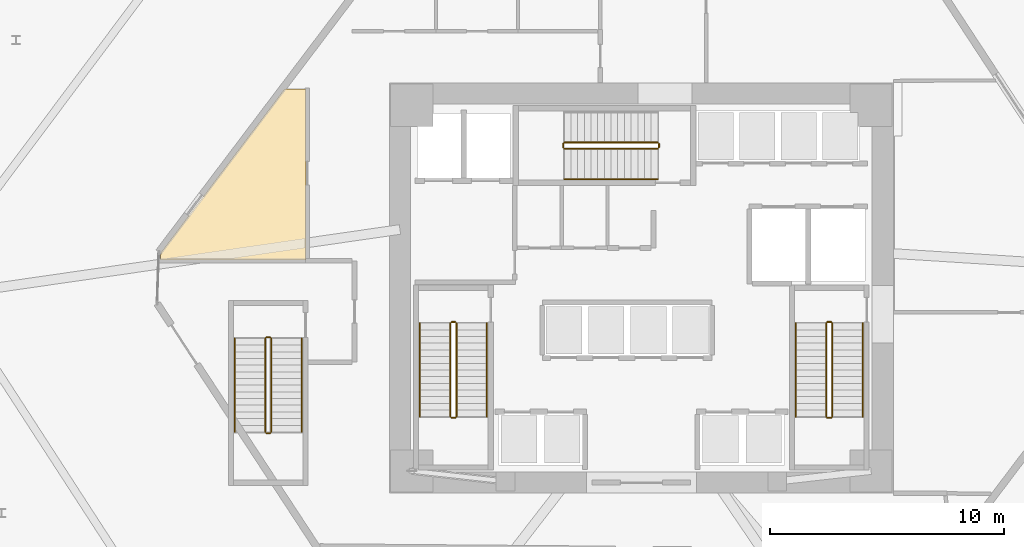
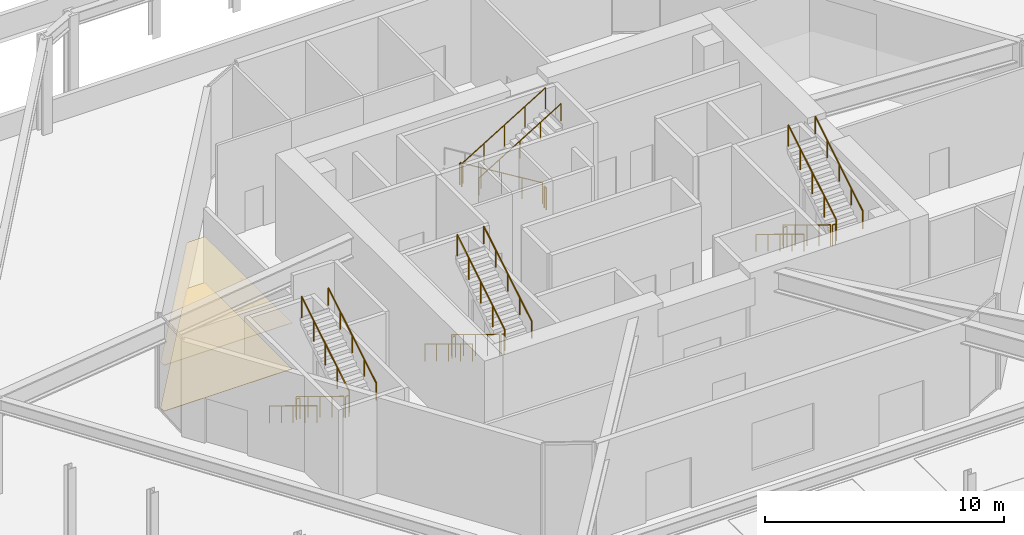
# One storey, part 16 of 18: 23 railings, 2 coverings.
"""IFC4 building model written with IfcOpenShell, lengths in metres."""

from ifc_helpers import new_model, si_unit, direction, frame, origin, origin_2d, place, context, subcontext, project, spatial, polyline, circle, outline, extrude, material, layer, layer_set, type_object, element, save


model = new_model("IFC4")

# Units and contexts
model_context = context("Model", 3, precision=1e-05, world=origin(), true_north=direction((0.0, 1.0)))
body_context = subcontext(model_context, "Body", "Model", "MODEL_VIEW")
ifc_project = project(units=[si_unit("LENGTHUNIT", "METRE"), si_unit("AREAUNIT", "SQUARE_METRE"), si_unit("VOLUMEUNIT", "CUBIC_METRE"), si_unit("PLANEANGLEUNIT", "RADIAN"), si_unit("MASSUNIT", "GRAM", prefix="KILO")], contexts=[model_context])

# Site, building, storey
site_placement = place(None, origin())
site = spatial("IfcSite", under=ifc_project, at=site_placement, CompositionType="ELEMENT")
building_placement = place(site_placement, origin())
building = spatial("IfcBuilding", under=site, at=building_placement, Name="Durnholm Broadcast Tower", CompositionType="ELEMENT")
storey_placement = place(building_placement, origin())
storey = spatial("IfcBuildingStorey", under=building, at=storey_placement, Name="L00", CompositionType="ELEMENT", Elevation=0.0)

# Coverings
ifc_material_1 = material(Name="Mineral Fiber Acoustic Ceiling Tile", Category="concrete")
ifc_layer_1 = layer(ifc_material_1, 0.02490234375)
ifc_layer_set_1 = layer_set([ifc_layer_1], Name="Mineral Fiber Acoustic Ceiling Tile")
covering_type_1 = type_object("IfcCoveringType", Name="COV-CEIL-AC", PredefinedType="CEILING", material=ifc_layer_set_1)
covering_1_placement = place(storey_placement, frame((0.0, 0.0, 2.35009765625)))
element("IfcCovering", 1, at=covering_1_placement, inside=storey, type_object=covering_type_1, Name="L00 Fire Command Center acoustic ceiling", PredefinedType="CEILING", context=body_context, shape_type="SweptSolid", body=[
    extrude(outline(polyline([(-14.304931640625, 1.205078125), (-14.304931640625, 8.4951171875), (-15.222900390625, 8.4951171875), (-20.504638671875, 1.508056640625), (-20.5146484375, 1.205078125), (-14.304931640625, 1.205078125)])), origin(), (0.0, 0.0, 1.0), 0.02490234375),
])
ifc_material_2 = material(Name="Engineered Oak Acoustic Broadcast Flooring", Category="wood")
ifc_layer_2 = layer(ifc_material_2, 0.02001953125)
ifc_layer_set_2 = layer_set([ifc_layer_2], Name="Engineered Oak Acoustic Broadcast Flooring")
covering_type_2 = type_object("IfcCoveringType", Name="COV-FLR-OAK", PredefinedType="FLOORING", material=ifc_layer_set_2)
covering_2_placement = place(storey_placement, origin())
element("IfcCovering", 2, at=covering_2_placement, inside=storey, type_object=covering_type_2, Name="L00 Fire Command Center acoustic oak flooring", PredefinedType="FLOORING", context=body_context, shape_type="SweptSolid", body=[
    extrude(outline(polyline([(-14.304931640625, 1.205078125), (-14.304931640625, 8.4951171875), (-15.222900390625, 8.4951171875), (-20.504638671875, 1.508056640625), (-20.5146484375, 1.205078125), (-14.304931640625, 1.205078125)])), origin(), (0.0, 0.0, 1.0), 0.02001953125),
])

# Railings
ifc_material_3 = material(Name="Painted Tubular Steel Stair Guardrail", Category="steel")
railing_type_1 = type_object("IfcRailingType", Name="RAIL-ST-GRD", PredefinedType="GUARDRAIL", material=ifc_material_3)
railing_1_placement = place(storey_placement, frame((-8.14990234375, -1.5, 0.17333984375)))
element("IfcRailing", 3, at=railing_1_placement, inside=storey, type_object=railing_type_1, Name="L00 ST-1 stair guard 1", PredefinedType="GUARDRAIL", context=body_context, shape_type="SweptSolid", body=[
    extrude(circle(Radius=0.02392578125, at=origin_2d()), frame((0.0, 0.0, 1.076171875), z_axis=(0.0, -0.854382233033, 0.519645071061), x_axis=(1.0, 0.0, 0.0)), (0.0, 0.0, 1.0), 4.669921875),
    extrude(circle(Radius=0.02099609375, at=origin_2d()), origin(), (0.0, 0.0, 1.0), 1.052001953125),
    extrude(circle(Radius=0.02099609375, at=origin_2d()), frame((0.0, -0.99755859375, 0.606689453125)), (0.0, 0.0, 1.0), 1.052001953125),
    extrude(circle(Radius=0.02099609375, at=origin_2d()), frame((0.0, -1.9951171875, 1.21337890625)), (0.0, 0.0, 1.0), 1.052001953125),
    extrude(circle(Radius=0.02099609375, at=origin_2d()), frame((0.0, -2.992431640625, 1.820068359375)), (0.0, 0.0, 1.0), 1.052001953125),
    extrude(circle(Radius=0.02099609375, at=origin_2d()), frame((0.0, -3.989990234375, 2.4267578125)), (0.0, 0.0, 1.0), 1.052001953125),
])
railing_2_placement = place(storey_placement, frame((-8.10009765625, -5.5400390625, 2.60009765625)))
element("IfcRailing", 4, at=railing_2_placement, inside=storey, type_object=railing_type_1, Name="L00 ST-1 stair guard 2", PredefinedType="GUARDRAIL", context=body_context, shape_type="SweptSolid", body=[
    extrude(circle(Radius=0.02392578125, at=origin_2d()), frame((0.0, 0.0, 1.076171875), z_axis=(1.0, 0.0, 0.0), x_axis=(0.0, 1.0, 0.0)), (0.0, 0.0, 1.0), 0.16015625),
    extrude(circle(Radius=0.02099609375, at=origin_2d()), origin(), (0.0, 0.0, 1.0), 1.052001953125),
    extrude(circle(Radius=0.02099609375, at=origin_2d()), frame((0.16015625, 0.0, 0.0)), (0.0, 0.0, 1.0), 1.052001953125),
])
railing_3_placement = place(storey_placement, frame((-7.889892578125, -5.489990234375, 2.7734375)))
element("IfcRailing", 5, at=railing_3_placement, inside=storey, type_object=railing_type_1, Name="L00 ST-1 stair guard 3", PredefinedType="GUARDRAIL", context=body_context, shape_type="SweptSolid", body=[
    extrude(circle(Radius=0.02392578125, at=origin_2d()), frame((0.0, 0.0, 1.076171875), z_axis=(0.0, 0.854405443041, 0.519606908058), x_axis=(-1.0, 0.0, 0.0)), (0.0, 0.0, 1.0), 4.669921875),
    extrude(circle(Radius=0.02099609375, at=origin_2d()), origin(), (0.0, 0.0, 1.0), 1.052001953125),
    extrude(circle(Radius=0.02099609375, at=origin_2d()), frame((0.0, 0.99755859375, 0.606689453125)), (0.0, 0.0, 1.0), 1.052001953125),
    extrude(circle(Radius=0.02099609375, at=origin_2d()), frame((0.0, 1.9951171875, 1.21337890625)), (0.0, 0.0, 1.0), 1.052001953125),
    extrude(circle(Radius=0.02099609375, at=origin_2d()), frame((0.0, 2.992431640625, 1.81982421875)), (0.0, 0.0, 1.0), 1.052001953125),
    extrude(circle(Radius=0.02099609375, at=origin_2d()), frame((0.0, 3.989990234375, 2.426513671875)), (0.0, 0.0, 1.0), 1.052001953125),
])
railing_4_placement = place(storey_placement, frame((-8.10009765625, -1.449951171875, 0.0)))
element("IfcRailing", 6, at=railing_4_placement, inside=storey, type_object=railing_type_1, Name="L00 ST-1 stair guard 4", PredefinedType="GUARDRAIL", context=body_context, shape_type="SweptSolid", body=[
    extrude(circle(Radius=0.02392578125, at=origin_2d()), frame((0.0, 0.0, 1.076171875), z_axis=(1.0, 0.0, 0.0), x_axis=(0.0, 1.0, 0.0)), (0.0, 0.0, 1.0), 0.16015625),
    extrude(circle(Radius=0.02099609375, at=origin_2d()), origin(), (0.0, 0.0, 1.0), 1.052001953125),
    extrude(circle(Radius=0.02099609375, at=origin_2d()), frame((0.16015625, 0.0, 0.0)), (0.0, 0.0, 1.0), 1.052001953125),
])
railing_5_placement = place(storey_placement, frame((7.889892578125, -1.5, 0.17333984375)))
element("IfcRailing", 7, at=railing_5_placement, inside=storey, type_object=railing_type_1, Name="L00 ST-2 stair guard 1", PredefinedType="GUARDRAIL", context=body_context, shape_type="SweptSolid", body=[
    extrude(circle(Radius=0.02392578125, at=origin_2d()), frame((0.0, 0.0, 1.076171875), z_axis=(0.0, -0.854382233033, 0.519645071061), x_axis=(1.0, 0.0, 0.0)), (0.0, 0.0, 1.0), 4.669921875),
    extrude(circle(Radius=0.02099609375, at=origin_2d()), origin(), (0.0, 0.0, 1.0), 1.052001953125),
    extrude(circle(Radius=0.02099609375, at=origin_2d()), frame((0.0, -0.99755859375, 0.606689453125)), (0.0, 0.0, 1.0), 1.052001953125),
    extrude(circle(Radius=0.02099609375, at=origin_2d()), frame((0.0, -1.9951171875, 1.21337890625)), (0.0, 0.0, 1.0), 1.052001953125),
    extrude(circle(Radius=0.02099609375, at=origin_2d()), frame((0.0, -2.992431640625, 1.820068359375)), (0.0, 0.0, 1.0), 1.052001953125),
    extrude(circle(Radius=0.02099609375, at=origin_2d()), frame((0.0, -3.989990234375, 2.4267578125)), (0.0, 0.0, 1.0), 1.052001953125),
])
railing_6_placement = place(storey_placement, frame((7.93994140625, -5.5400390625, 2.60009765625)))
element("IfcRailing", 8, at=railing_6_placement, inside=storey, type_object=railing_type_1, Name="L00 ST-2 stair guard 2", PredefinedType="GUARDRAIL", context=body_context, shape_type="SweptSolid", body=[
    extrude(circle(Radius=0.02392578125, at=origin_2d()), frame((0.0, 0.0, 1.076171875), z_axis=(1.0, 0.0, 0.0), x_axis=(0.0, 1.0, 0.0)), (0.0, 0.0, 1.0), 0.16015625),
    extrude(circle(Radius=0.02099609375, at=origin_2d()), origin(), (0.0, 0.0, 1.0), 1.052001953125),
    extrude(circle(Radius=0.02099609375, at=origin_2d()), frame((0.16015625, 0.0, 0.0)), (0.0, 0.0, 1.0), 1.052001953125),
])
railing_7_placement = place(storey_placement, frame((8.14990234375, -5.489990234375, 2.7734375)))
element("IfcRailing", 9, at=railing_7_placement, inside=storey, type_object=railing_type_1, Name="L00 ST-2 stair guard 3", PredefinedType="GUARDRAIL", context=body_context, shape_type="SweptSolid", body=[
    extrude(circle(Radius=0.02392578125, at=origin_2d()), frame((0.0, 0.0, 1.076171875), z_axis=(0.0, 0.854405443041, 0.519606908058), x_axis=(-1.0, 0.0, 0.0)), (0.0, 0.0, 1.0), 4.669921875),
    extrude(circle(Radius=0.02099609375, at=origin_2d()), origin(), (0.0, 0.0, 1.0), 1.052001953125),
    extrude(circle(Radius=0.02099609375, at=origin_2d()), frame((0.0, 0.99755859375, 0.606689453125)), (0.0, 0.0, 1.0), 1.052001953125),
    extrude(circle(Radius=0.02099609375, at=origin_2d()), frame((0.0, 1.9951171875, 1.21337890625)), (0.0, 0.0, 1.0), 1.052001953125),
    extrude(circle(Radius=0.02099609375, at=origin_2d()), frame((0.0, 2.992431640625, 1.81982421875)), (0.0, 0.0, 1.0), 1.052001953125),
    extrude(circle(Radius=0.02099609375, at=origin_2d()), frame((0.0, 3.989990234375, 2.426513671875)), (0.0, 0.0, 1.0), 1.052001953125),
])
railing_8_placement = place(storey_placement, frame((7.93994140625, -1.449951171875, 0.0)))
element("IfcRailing", 10, at=railing_8_placement, inside=storey, type_object=railing_type_1, Name="L00 ST-2 stair guard 4", PredefinedType="GUARDRAIL", context=body_context, shape_type="SweptSolid", body=[
    extrude(circle(Radius=0.02392578125, at=origin_2d()), frame((0.0, 0.0, 1.076171875), z_axis=(1.0, 0.0, 0.0), x_axis=(0.0, 1.0, 0.0)), (0.0, 0.0, 1.0), 0.16015625),
    extrude(circle(Radius=0.02099609375, at=origin_2d()), origin(), (0.0, 0.0, 1.0), 1.052001953125),
    extrude(circle(Radius=0.02099609375, at=origin_2d()), frame((0.16015625, 0.0, 0.0)), (0.0, 0.0, 1.0), 1.052001953125),
])
railing_9_placement = place(storey_placement, frame((0.699951171875, 6.2099609375, 0.17333984375)))
element("IfcRailing", 11, at=railing_9_placement, inside=storey, type_object=railing_type_1, Name="L00 ST-3 stair guard 1", PredefinedType="GUARDRAIL", context=body_context, shape_type="SweptSolid", body=[
    extrude(circle(Radius=0.02392578125, at=origin_2d()), frame((0.0, 0.0, 1.076171875), z_axis=(-0.854382233033, 0.0, 0.519645071061), x_axis=(0.0, -1.0, 0.0)), (0.0, 0.0, 1.0), 4.669921875),
    extrude(circle(Radius=0.02099609375, at=origin_2d()), origin(), (0.0, 0.0, 1.0), 1.052001953125),
    extrude(circle(Radius=0.02099609375, at=origin_2d()), frame((-0.99755859375, 0.0, 0.606689453125)), (0.0, 0.0, 1.0), 1.052001953125),
    extrude(circle(Radius=0.02099609375, at=origin_2d()), frame((-1.9951171875, 0.0, 1.21337890625)), (0.0, 0.0, 1.0), 1.052001953125),
    extrude(circle(Radius=0.02099609375, at=origin_2d()), frame((-2.992431640625, 0.0, 1.820068359375)), (0.0, 0.0, 1.0), 1.052001953125),
    extrude(circle(Radius=0.02099609375, at=origin_2d()), frame((-3.989990234375, 0.0, 2.4267578125)), (0.0, 0.0, 1.0), 1.052001953125),
])
railing_10_placement = place(storey_placement, frame((-3.340087890625, 6.159912109375, 2.60009765625)))
element("IfcRailing", 12, at=railing_10_placement, inside=storey, type_object=railing_type_1, Name="L00 ST-3 stair guard 2", PredefinedType="GUARDRAIL", context=body_context, shape_type="SweptSolid", body=[
    extrude(circle(Radius=0.02392578125, at=origin_2d()), frame((0.0, 0.0, 1.076171875), z_axis=(0.0, -1.0, 0.0), x_axis=(1.0, 0.0, 0.0)), (0.0, 0.0, 1.0), 0.159912109375),
    extrude(circle(Radius=0.02099609375, at=origin_2d()), origin(), (0.0, 0.0, 1.0), 1.052001953125),
    extrude(circle(Radius=0.02099609375, at=origin_2d()), frame((0.0, -0.159912109375, 0.0)), (0.0, 0.0, 1.0), 1.052001953125),
])
railing_11_placement = place(storey_placement, frame((-3.2900390625, 5.949951171875, 2.7734375)))
element("IfcRailing", 13, at=railing_11_placement, inside=storey, type_object=railing_type_1, Name="L00 ST-3 stair guard 3", PredefinedType="GUARDRAIL", context=body_context, shape_type="SweptSolid", body=[
    extrude(circle(Radius=0.02392578125, at=origin_2d()), frame((0.0, 0.0, 1.076171875), z_axis=(0.854405443041, 0.0, 0.519606908058), x_axis=(0.0, 1.0, 0.0)), (0.0, 0.0, 1.0), 4.669921875),
    extrude(circle(Radius=0.02099609375, at=origin_2d()), origin(), (0.0, 0.0, 1.0), 1.052001953125),
    extrude(circle(Radius=0.02099609375, at=origin_2d()), frame((0.99755859375, 0.0, 0.606689453125)), (0.0, 0.0, 1.0), 1.052001953125),
    extrude(circle(Radius=0.02099609375, at=origin_2d()), frame((1.9951171875, 0.0, 1.21337890625)), (0.0, 0.0, 1.0), 1.052001953125),
    extrude(circle(Radius=0.02099609375, at=origin_2d()), frame((2.992431640625, 0.0, 1.81982421875)), (0.0, 0.0, 1.0), 1.052001953125),
    extrude(circle(Radius=0.02099609375, at=origin_2d()), frame((3.989990234375, 0.0, 2.426513671875)), (0.0, 0.0, 1.0), 1.052001953125),
])
railing_12_placement = place(storey_placement, frame((0.75, 6.159912109375, 0.0)))
element("IfcRailing", 14, at=railing_12_placement, inside=storey, type_object=railing_type_1, Name="L00 ST-3 stair guard 4", PredefinedType="GUARDRAIL", context=body_context, shape_type="SweptSolid", body=[
    extrude(circle(Radius=0.02392578125, at=origin_2d()), frame((0.0, 0.0, 1.076171875), z_axis=(0.0, -1.0, 0.0), x_axis=(1.0, 0.0, 0.0)), (0.0, 0.0, 1.0), 0.159912109375),
    extrude(circle(Radius=0.02099609375, at=origin_2d()), origin(), (0.0, 0.0, 1.0), 1.052001953125),
    extrude(circle(Radius=0.02099609375, at=origin_2d()), frame((0.0, -0.159912109375, 0.0)), (0.0, 0.0, 1.0), 1.052001953125),
])
railing_13_placement = place(storey_placement, frame((-16.050048828125, -2.14990234375, 0.17333984375)))
element("IfcRailing", 15, at=railing_13_placement, inside=storey, type_object=railing_type_1, Name="L00 ST-4 stair guard 1", PredefinedType="GUARDRAIL", context=body_context, shape_type="SweptSolid", body=[
    extrude(circle(Radius=0.02392578125, at=origin_2d()), frame((0.0, 0.0, 1.076171875), z_axis=(0.0, -0.854382233033, 0.519645071061), x_axis=(1.0, 0.0, 0.0)), (0.0, 0.0, 1.0), 4.669921875),
    extrude(circle(Radius=0.02099609375, at=origin_2d()), origin(), (0.0, 0.0, 1.0), 1.052001953125),
    extrude(circle(Radius=0.02099609375, at=origin_2d()), frame((0.0, -0.99755859375, 0.606689453125)), (0.0, 0.0, 1.0), 1.052001953125),
    extrude(circle(Radius=0.02099609375, at=origin_2d()), frame((0.0, -1.9951171875, 1.21337890625)), (0.0, 0.0, 1.0), 1.052001953125),
    extrude(circle(Radius=0.02099609375, at=origin_2d()), frame((0.0, -2.992431640625, 1.820068359375)), (0.0, 0.0, 1.0), 1.052001953125),
    extrude(circle(Radius=0.02099609375, at=origin_2d()), frame((0.0, -3.989990234375, 2.4267578125)), (0.0, 0.0, 1.0), 1.052001953125),
])
railing_14_placement = place(storey_placement, frame((-16.0, -6.18994140625, 2.60009765625)))
element("IfcRailing", 16, at=railing_14_placement, inside=storey, type_object=railing_type_1, Name="L00 ST-4 stair guard 2", PredefinedType="GUARDRAIL", context=body_context, shape_type="SweptSolid", body=[
    extrude(circle(Radius=0.02392578125, at=origin_2d()), frame((0.0, 0.0, 1.076171875), z_axis=(1.0, 0.0, 0.0), x_axis=(0.0, 1.0, 0.0)), (0.0, 0.0, 1.0), 0.159912109375),
    extrude(circle(Radius=0.02099609375, at=origin_2d()), origin(), (0.0, 0.0, 1.0), 1.052001953125),
    extrude(circle(Radius=0.02099609375, at=origin_2d()), frame((0.159912109375, 0.0, 0.0)), (0.0, 0.0, 1.0), 1.052001953125),
])
railing_15_placement = place(storey_placement, frame((-15.7900390625, -6.139892578125, 2.7734375)))
element("IfcRailing", 17, at=railing_15_placement, inside=storey, type_object=railing_type_1, Name="L00 ST-4 stair guard 3", PredefinedType="GUARDRAIL", context=body_context, shape_type="SweptSolid", body=[
    extrude(circle(Radius=0.02392578125, at=origin_2d()), frame((0.0, 0.0, 1.076171875), z_axis=(0.0, 0.854405443041, 0.519606908058), x_axis=(-1.0, 0.0, 0.0)), (0.0, 0.0, 1.0), 4.669921875),
    extrude(circle(Radius=0.02099609375, at=origin_2d()), origin(), (0.0, 0.0, 1.0), 1.052001953125),
    extrude(circle(Radius=0.02099609375, at=origin_2d()), frame((0.0, 0.99755859375, 0.606689453125)), (0.0, 0.0, 1.0), 1.052001953125),
    extrude(circle(Radius=0.02099609375, at=origin_2d()), frame((0.0, 1.9951171875, 1.21337890625)), (0.0, 0.0, 1.0), 1.052001953125),
    extrude(circle(Radius=0.02099609375, at=origin_2d()), frame((0.0, 2.992431640625, 1.81982421875)), (0.0, 0.0, 1.0), 1.052001953125),
    extrude(circle(Radius=0.02099609375, at=origin_2d()), frame((0.0, 3.989990234375, 2.426513671875)), (0.0, 0.0, 1.0), 1.052001953125),
])
railing_16_placement = place(storey_placement, frame((-16.0, -2.10009765625, 0.0)))
element("IfcRailing", 18, at=railing_16_placement, inside=storey, type_object=railing_type_1, Name="L00 ST-4 stair guard 4", PredefinedType="GUARDRAIL", context=body_context, shape_type="SweptSolid", body=[
    extrude(circle(Radius=0.02392578125, at=origin_2d()), frame((0.0, 0.0, 1.076171875), z_axis=(1.0, 0.0, 0.0), x_axis=(0.0, 1.0, 0.0)), (0.0, 0.0, 1.0), 0.159912109375),
    extrude(circle(Radius=0.02099609375, at=origin_2d()), origin(), (0.0, 0.0, 1.0), 1.052001953125),
    extrude(circle(Radius=0.02099609375, at=origin_2d()), frame((0.159912109375, 0.0, 0.0)), (0.0, 0.0, 1.0), 1.052001953125),
])
ifc_material_4 = material(Name="Brushed Stainless Steel Handrail", Category="steel")
railing_type_2 = type_object("IfcRailingType", Name="RAIL-ST-HND", PredefinedType="HANDRAIL", material=ifc_material_4)
railing_17_placement = place(storey_placement, frame((-9.449951171875, -1.5, 0.3466796875)))
element("IfcRailing", 19, at=railing_17_placement, inside=storey, type_object=railing_type_2, Name="L00 ST-1 stair handrail 1", PredefinedType="HANDRAIL", context=body_context, shape_type="SweptSolid", body=[
    extrude(circle(Radius=0.02392578125, at=origin_2d()), frame((0.0, 0.0, 0.8759765625), z_axis=(0.0, -0.854382233033, 0.519645071061), x_axis=(1.0, 0.0, 0.0)), (0.0, 0.0, 1.0), 4.669921875),
    extrude(circle(Radius=0.02099609375, at=origin_2d()), origin(), (0.0, 0.0, 1.0), 0.851806640625),
    extrude(circle(Radius=0.02099609375, at=origin_2d()), frame((0.0, -0.99755859375, 0.606689453125)), (0.0, 0.0, 1.0), 0.851806640625),
    extrude(circle(Radius=0.02099609375, at=origin_2d()), frame((0.0, -1.9951171875, 1.21337890625)), (0.0, 0.0, 1.0), 0.851806640625),
    extrude(circle(Radius=0.02099609375, at=origin_2d()), frame((0.0, -2.992431640625, 1.820068359375)), (0.0, 0.0, 1.0), 0.851806640625),
    extrude(circle(Radius=0.02099609375, at=origin_2d()), frame((0.0, -3.989990234375, 2.4267578125)), (0.0, 0.0, 1.0), 0.851806640625),
])
railing_18_placement = place(storey_placement, frame((-6.590087890625, -5.489990234375, 2.94677734375)))
element("IfcRailing", 20, at=railing_18_placement, inside=storey, type_object=railing_type_2, Name="L00 ST-1 stair handrail 2", PredefinedType="HANDRAIL", context=body_context, shape_type="SweptSolid", body=[
    extrude(circle(Radius=0.02392578125, at=origin_2d()), frame((0.0, 0.0, 0.8759765625), z_axis=(0.0, 0.854405443041, 0.519606908058), x_axis=(-1.0, 0.0, 0.0)), (0.0, 0.0, 1.0), 4.669921875),
    extrude(circle(Radius=0.02099609375, at=origin_2d()), origin(), (0.0, 0.0, 1.0), 0.851806640625),
    extrude(circle(Radius=0.02099609375, at=origin_2d()), frame((0.0, 0.99755859375, 0.606689453125)), (0.0, 0.0, 1.0), 0.851806640625),
    extrude(circle(Radius=0.02099609375, at=origin_2d()), frame((0.0, 1.9951171875, 1.21337890625)), (0.0, 0.0, 1.0), 0.851806640625),
    extrude(circle(Radius=0.02099609375, at=origin_2d()), frame((0.0, 2.992431640625, 1.81982421875)), (0.0, 0.0, 1.0), 0.851806640625),
    extrude(circle(Radius=0.02099609375, at=origin_2d()), frame((0.0, 3.989990234375, 2.426513671875)), (0.0, 0.0, 1.0), 0.851806640625),
])
railing_19_placement = place(storey_placement, frame((6.590087890625, -1.5, 0.3466796875)))
element("IfcRailing", 21, at=railing_19_placement, inside=storey, type_object=railing_type_2, Name="L00 ST-2 stair handrail 1", PredefinedType="HANDRAIL", context=body_context, shape_type="SweptSolid", body=[
    extrude(circle(Radius=0.02392578125, at=origin_2d()), frame((0.0, 0.0, 0.8759765625), z_axis=(0.0, -0.854382233033, 0.519645071061), x_axis=(1.0, 0.0, 0.0)), (0.0, 0.0, 1.0), 4.669921875),
    extrude(circle(Radius=0.02099609375, at=origin_2d()), origin(), (0.0, 0.0, 1.0), 0.851806640625),
    extrude(circle(Radius=0.02099609375, at=origin_2d()), frame((0.0, -0.99755859375, 0.606689453125)), (0.0, 0.0, 1.0), 0.851806640625),
    extrude(circle(Radius=0.02099609375, at=origin_2d()), frame((0.0, -1.9951171875, 1.21337890625)), (0.0, 0.0, 1.0), 0.851806640625),
    extrude(circle(Radius=0.02099609375, at=origin_2d()), frame((0.0, -2.992431640625, 1.820068359375)), (0.0, 0.0, 1.0), 0.851806640625),
    extrude(circle(Radius=0.02099609375, at=origin_2d()), frame((0.0, -3.989990234375, 2.4267578125)), (0.0, 0.0, 1.0), 0.851806640625),
])
railing_20_placement = place(storey_placement, frame((9.449951171875, -5.489990234375, 2.94677734375)))
element("IfcRailing", 22, at=railing_20_placement, inside=storey, type_object=railing_type_2, Name="L00 ST-2 stair handrail 2", PredefinedType="HANDRAIL", context=body_context, shape_type="SweptSolid", body=[
    extrude(circle(Radius=0.02392578125, at=origin_2d()), frame((0.0, 0.0, 0.8759765625), z_axis=(0.0, 0.854405443041, 0.519606908058), x_axis=(-1.0, 0.0, 0.0)), (0.0, 0.0, 1.0), 4.669921875),
    extrude(circle(Radius=0.02099609375, at=origin_2d()), origin(), (0.0, 0.0, 1.0), 0.851806640625),
    extrude(circle(Radius=0.02099609375, at=origin_2d()), frame((0.0, 0.99755859375, 0.606689453125)), (0.0, 0.0, 1.0), 0.851806640625),
    extrude(circle(Radius=0.02099609375, at=origin_2d()), frame((0.0, 1.9951171875, 1.21337890625)), (0.0, 0.0, 1.0), 0.851806640625),
    extrude(circle(Radius=0.02099609375, at=origin_2d()), frame((0.0, 2.992431640625, 1.81982421875)), (0.0, 0.0, 1.0), 0.851806640625),
    extrude(circle(Radius=0.02099609375, at=origin_2d()), frame((0.0, 3.989990234375, 2.426513671875)), (0.0, 0.0, 1.0), 0.851806640625),
])
railing_21_placement = place(storey_placement, frame((-3.2900390625, 4.64990234375, 2.94677734375)))
element("IfcRailing", 23, at=railing_21_placement, inside=storey, type_object=railing_type_2, Name="L00 ST-3 stair handrail 2", PredefinedType="HANDRAIL", context=body_context, shape_type="SweptSolid", body=[
    extrude(circle(Radius=0.02392578125, at=origin_2d()), frame((0.0, 0.0, 0.8759765625), z_axis=(0.854405443041, 0.0, 0.519606908058), x_axis=(0.0, 1.0, 0.0)), (0.0, 0.0, 1.0), 4.669921875),
    extrude(circle(Radius=0.02099609375, at=origin_2d()), origin(), (0.0, 0.0, 1.0), 0.851806640625),
    extrude(circle(Radius=0.02099609375, at=origin_2d()), frame((0.99755859375, 0.0, 0.606689453125)), (0.0, 0.0, 1.0), 0.851806640625),
    extrude(circle(Radius=0.02099609375, at=origin_2d()), frame((1.9951171875, 0.0, 1.21337890625)), (0.0, 0.0, 1.0), 0.851806640625),
    extrude(circle(Radius=0.02099609375, at=origin_2d()), frame((2.992431640625, 0.0, 1.81982421875)), (0.0, 0.0, 1.0), 0.851806640625),
    extrude(circle(Radius=0.02099609375, at=origin_2d()), frame((3.989990234375, 0.0, 2.426513671875)), (0.0, 0.0, 1.0), 0.851806640625),
])
railing_22_placement = place(storey_placement, frame((-17.35009765625, -2.14990234375, 0.3466796875)))
element("IfcRailing", 24, at=railing_22_placement, inside=storey, type_object=railing_type_2, Name="L00 ST-4 stair handrail 1", PredefinedType="HANDRAIL", context=body_context, shape_type="SweptSolid", body=[
    extrude(circle(Radius=0.02392578125, at=origin_2d()), frame((0.0, 0.0, 0.8759765625), z_axis=(0.0, -0.854382233033, 0.519645071061), x_axis=(1.0, 0.0, 0.0)), (0.0, 0.0, 1.0), 4.669921875),
    extrude(circle(Radius=0.02099609375, at=origin_2d()), origin(), (0.0, 0.0, 1.0), 0.851806640625),
    extrude(circle(Radius=0.02099609375, at=origin_2d()), frame((0.0, -0.99755859375, 0.606689453125)), (0.0, 0.0, 1.0), 0.851806640625),
    extrude(circle(Radius=0.02099609375, at=origin_2d()), frame((0.0, -1.9951171875, 1.21337890625)), (0.0, 0.0, 1.0), 0.851806640625),
    extrude(circle(Radius=0.02099609375, at=origin_2d()), frame((0.0, -2.992431640625, 1.820068359375)), (0.0, 0.0, 1.0), 0.851806640625),
    extrude(circle(Radius=0.02099609375, at=origin_2d()), frame((0.0, -3.989990234375, 2.4267578125)), (0.0, 0.0, 1.0), 0.851806640625),
])
railing_23_placement = place(storey_placement, frame((-14.489990234375, -6.139892578125, 2.94677734375)))
element("IfcRailing", 25, at=railing_23_placement, inside=storey, type_object=railing_type_2, Name="L00 ST-4 stair handrail 2", PredefinedType="HANDRAIL", context=body_context, shape_type="SweptSolid", body=[
    extrude(circle(Radius=0.02392578125, at=origin_2d()), frame((0.0, 0.0, 0.8759765625), z_axis=(0.0, 0.854405443041, 0.519606908058), x_axis=(-1.0, 0.0, 0.0)), (0.0, 0.0, 1.0), 4.669921875),
    extrude(circle(Radius=0.02099609375, at=origin_2d()), origin(), (0.0, 0.0, 1.0), 0.851806640625),
    extrude(circle(Radius=0.02099609375, at=origin_2d()), frame((0.0, 0.99755859375, 0.606689453125)), (0.0, 0.0, 1.0), 0.851806640625),
    extrude(circle(Radius=0.02099609375, at=origin_2d()), frame((0.0, 1.9951171875, 1.21337890625)), (0.0, 0.0, 1.0), 0.851806640625),
    extrude(circle(Radius=0.02099609375, at=origin_2d()), frame((0.0, 2.992431640625, 1.81982421875)), (0.0, 0.0, 1.0), 0.851806640625),
    extrude(circle(Radius=0.02099609375, at=origin_2d()), frame((0.0, 3.989990234375, 2.426513671875)), (0.0, 0.0, 1.0), 0.851806640625),
])

save(model, "model.ifc")
